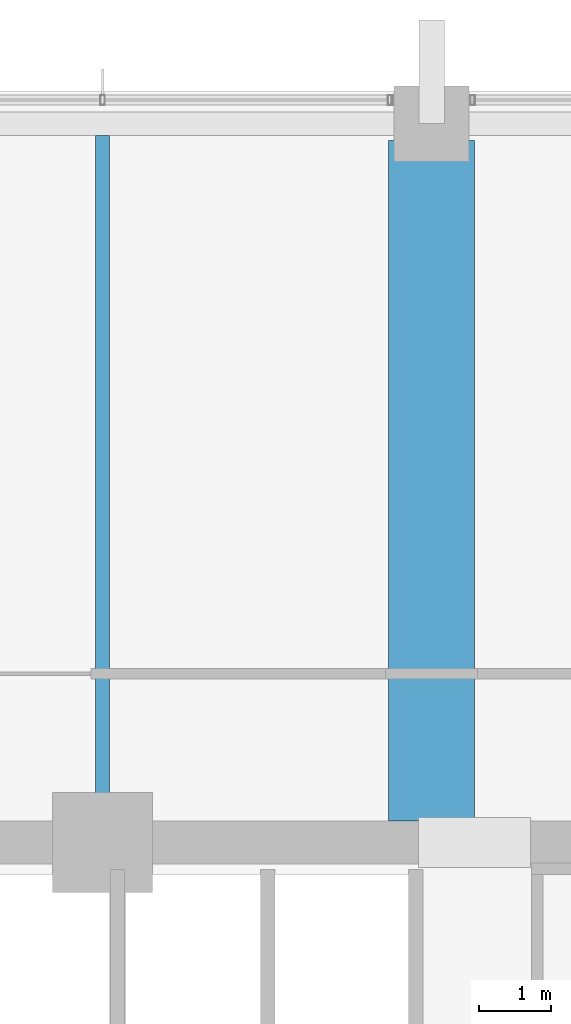
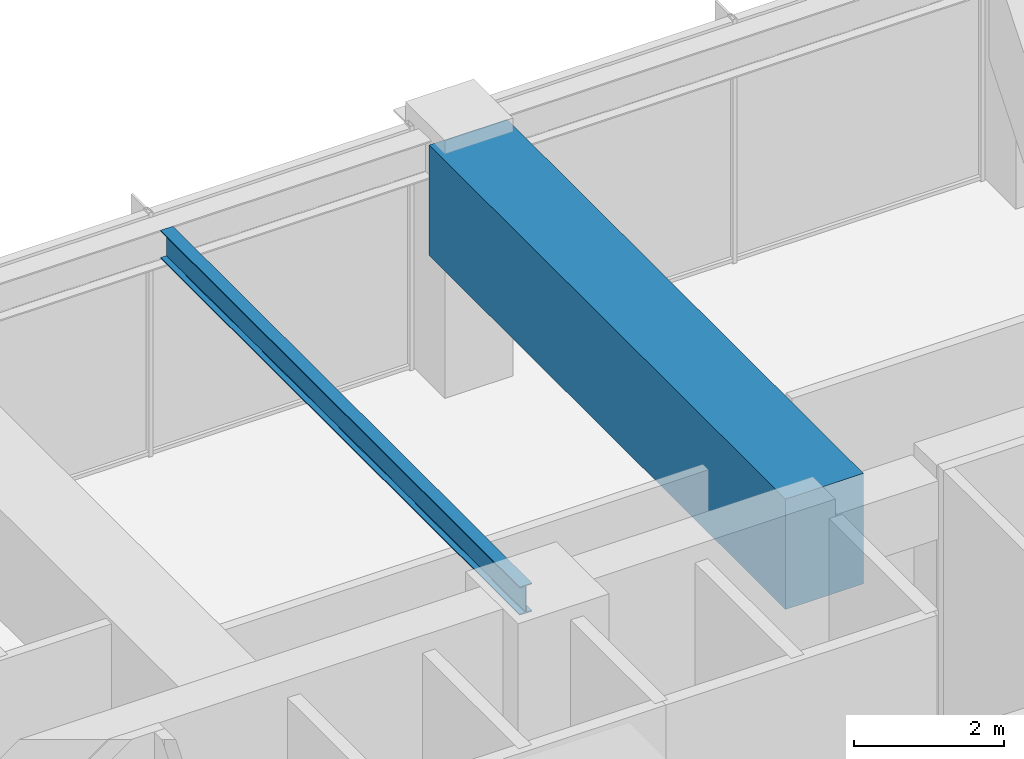
# One storey, part 23 of 40: 2 beams.
"""IFC4 building model written with IfcOpenShell, lengths in metres."""

from ifc_helpers import new_model, si_unit, direction, frame, origin, origin_2d, place, context, subcontext, project, spatial, rectangle, i_section, extrude, material, material_profile, profile_set, type_object, element, save


model = new_model("IFC4")

# Units and contexts
model_context = context("Model", 3, precision=1e-05, world=origin(), true_north=direction((0.0, 1.0)))
body_context = subcontext(model_context, "Body", "Model", "MODEL_VIEW")
ifc_project = project(units=[si_unit("LENGTHUNIT", "METRE"), si_unit("AREAUNIT", "SQUARE_METRE"), si_unit("VOLUMEUNIT", "CUBIC_METRE"), si_unit("PLANEANGLEUNIT", "RADIAN"), si_unit("MASSUNIT", "GRAM", prefix="KILO")], contexts=[model_context])

# Site, building, storey
site_placement = place(None, origin())
site = spatial("IfcSite", under=ifc_project, at=site_placement, CompositionType="ELEMENT")
building_placement = place(site_placement, origin())
building = spatial("IfcBuilding", under=site, at=building_placement, Name="Kolvaren Belvedere", CompositionType="ELEMENT")
storey_placement = place(building_placement, frame((0.0, 0.0, 68.0)))
storey = spatial("IfcBuildingStorey", under=building, at=storey_placement, Name="L19", CompositionType="ELEMENT", Elevation=68.0)

# Beams
ifc_material_1 = material(Name="Structural steel ASTM A992 Grade 50", Category="steel")
ifc_material_profile_1 = material_profile(ifc_material_1, i_section(OverallWidth=0.19091796875, OverallDepth=0.4599609375, WebThickness=0.010009765625, FlangeThickness=0.01611328125, FilletRadius=0.014892578125, at=origin_2d()), Name="W18X55")
ifc_profile_set_1 = profile_set([ifc_material_profile_1], Name="Structural steel ASTM A992 Grade 50")
beam_type_1 = type_object("IfcBeamType", Name="BM-JOIST-W18X55", PredefinedType="BEAM", material=ifc_profile_set_1)
beam_1_placement = place(storey_placement, frame((0.0, 10.199951171875, 3.75), z_axis=(0.0, 1.0, 0.0), x_axis=(-1.0, 0.0, 0.0)))
element("IfcBeam", 1, at=beam_1_placement, inside=storey, type_object=beam_type_1, Name="L19 North Centre Floor Beam", PredefinedType="BEAM", context=body_context, shape_type="SweptSolid", body=[
    extrude(i_section(OverallWidth=0.19091796875, OverallDepth=0.4599609375, WebThickness=0.010009765625, FlangeThickness=0.01611328125, FilletRadius=0.014892578125, at=origin_2d()), origin(), (0.0, 0.0, 1.0), 9.587646484375),
])
ifc_material_2 = material(Name="Concrete C50/60", Category="concrete")
ifc_material_profile_2 = material_profile(ifc_material_2, rectangle(XDim=1.199951171875, YDim=1.800048828125, at=origin_2d()), Name="RC 1200X1800")
ifc_profile_set_2 = profile_set([ifc_material_profile_2], Name="Concrete C50/60")
beam_type_2 = type_object("IfcBeamType", Name="BM-TG-1800", PredefinedType="BEAM", material=ifc_profile_set_2)
beam_2_placement = place(storey_placement, frame((4.60009765625, 10.199951171875, 3.080078125), z_axis=(0.0, 1.0, 0.0), x_axis=(-1.0, 0.0, 0.0)))
element("IfcBeam", 2, at=beam_2_placement, inside=storey, type_object=beam_type_2, Name="L19 North Radial Girder P", PredefinedType="BEAM", context=body_context, shape_type="SweptSolid", body=[
    extrude(rectangle(XDim=1.199951171875, YDim=1.800048828125, at=origin_2d()), origin(), (0.0, 0.0, 1.0), 9.513916015625),
])

save(model, "model.ifc")
